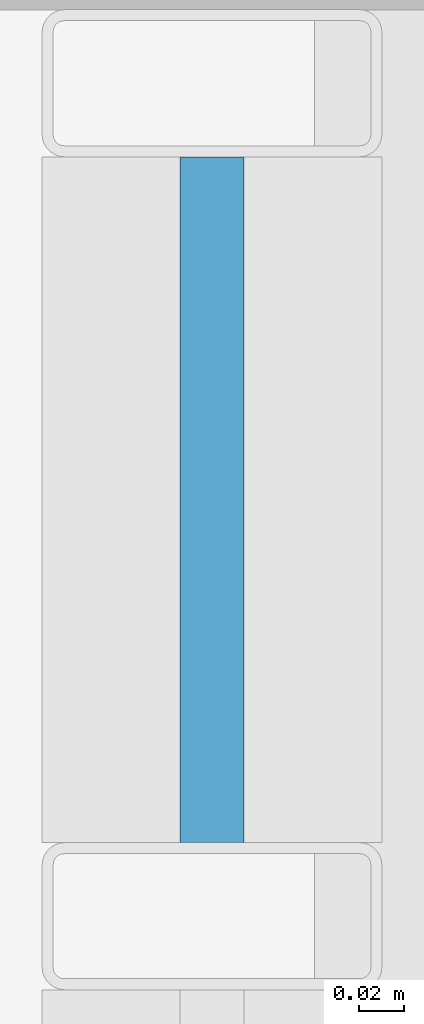
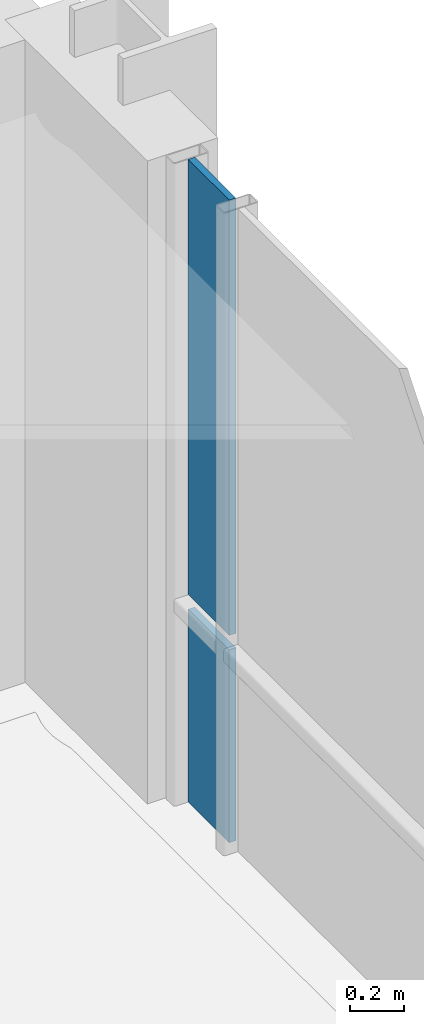
# One storey, part 27 of 35: 2 plates, 1 element without a shape of its own.
"""IFC4 building model written with IfcOpenShell, lengths in metres."""

from ifc_helpers import new_model, si_unit, direction, frame, origin, origin_2d, place, context, subcontext, project, spatial, rectangle, extrude, material, layer, layer_set, type_object, element, aggregate, save


model = new_model("IFC4")

# Units and contexts
model_context = context("Model", 3, precision=1e-05, world=origin(), true_north=direction((0.0, 1.0)))
body_context = subcontext(model_context, "Body", "Model", "MODEL_VIEW")
ifc_project = project(units=[si_unit("LENGTHUNIT", "METRE"), si_unit("AREAUNIT", "SQUARE_METRE"), si_unit("VOLUMEUNIT", "CUBIC_METRE"), si_unit("PLANEANGLEUNIT", "RADIAN"), si_unit("MASSUNIT", "GRAM", prefix="KILO")], contexts=[model_context])

# Site, building, storey
site_placement = place(None, origin())
site = spatial("IfcSite", under=ifc_project, at=site_placement, CompositionType="ELEMENT")
building_placement = place(site_placement, origin())
building = spatial("IfcBuilding", under=site, at=building_placement, Name="Brevholm Reach", CompositionType="ELEMENT")
storey_placement = place(building_placement, frame((0.0, 0.0, 183.199951171875)))
storey = spatial("IfcBuildingStorey", under=building, at=storey_placement, Name="L55", CompositionType="ELEMENT", Elevation=183.199951171875)

# Curtain wall, plates
ifc_material_1 = material(Name="Dark Anodised Aluminium 6063-T6 and Solar-Control Glass", Category="aluminium")
ifc_layer_1 = layer(ifc_material_1, 0.14990234375)
ifc_layer_set_1 = layer_set([ifc_layer_1], Name="Dark Anodised Aluminium 6063-T6 and Solar-Control Glass")
curtain_wall_type = type_object("IfcCurtainWallType", Name="CW-01", PredefinedType="NOTDEFINED", material=ifc_layer_set_1)
curtain_wall_placement = place(storey_placement, origin())
curtain_wall = element("IfcCurtainWall", 1, at=curtain_wall_placement, inside=storey, type_object=curtain_wall_type, Name="L55 Curtain Wall CW-01", PredefinedType="NOTDEFINED")
ifc_material_2 = material(Name="Dark Solar-Control Double-Glazed IGU Glass", Category="glass")
ifc_layer_2 = layer(ifc_material_2, 0.028076171875)
ifc_layer_set_2 = layer_set([ifc_layer_2], Name="Dark Solar-Control Double-Glazed IGU Glass")
plate_type = type_object("IfcPlateType", Name="CWP-GLZ-28", PredefinedType="CURTAIN_PANEL", material=ifc_layer_set_2)
plate_1_placement = place(storey_placement, frame((59.85009765625, 22.733642578125, 0.0), z_axis=(0.0, 0.0, 1.0), x_axis=(0.0, 1.0, 0.0)))
plate_1 = element("IfcPlate", 2, at=plate_1_placement, type_object=plate_type, Name="CP-01 Glazing Panel 5.1", PredefinedType="CURTAIN_PANEL", context=body_context, shape_type="SweptSolid", body=[
    extrude(rectangle(XDim=0.302490234375, YDim=0.028076171875, at=origin_2d()), origin(), (0.0, 0.0, 1.0), 0.867431640625),
])
plate_2_placement = place(storey_placement, frame((59.85009765625, 22.733642578125, 0.9326171875), z_axis=(0.0, 0.0, 1.0), x_axis=(0.0, 1.0, 0.0)))
plate_2 = element("IfcPlate", 3, at=plate_2_placement, type_object=plate_type, Name="CP-01 Glazing Panel 5.2", PredefinedType="CURTAIN_PANEL", context=body_context, shape_type="SweptSolid", body=[
    extrude(rectangle(XDim=0.302490234375, YDim=0.028076171875, at=origin_2d()), origin(), (0.0, 0.0, 1.0), 1.95751953125),
])
aggregate(curtain_wall, [plate_1, plate_2])

save(model, "model.ifc")
